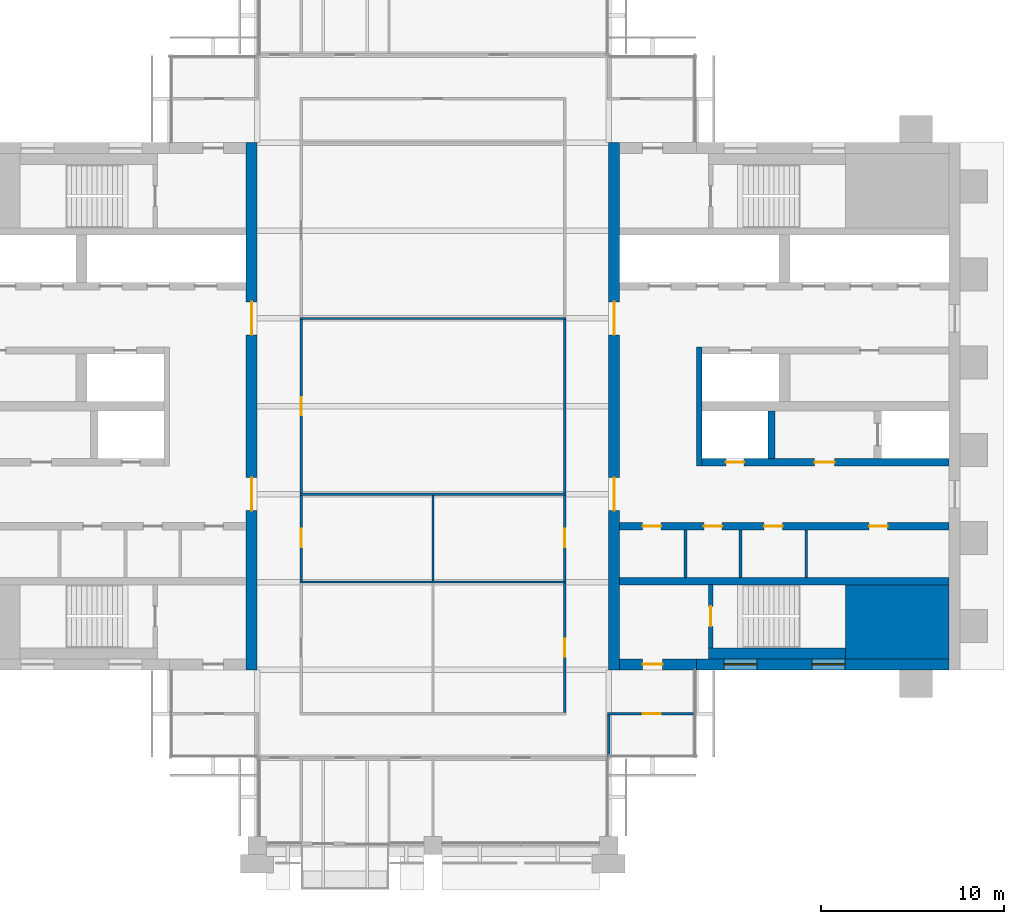
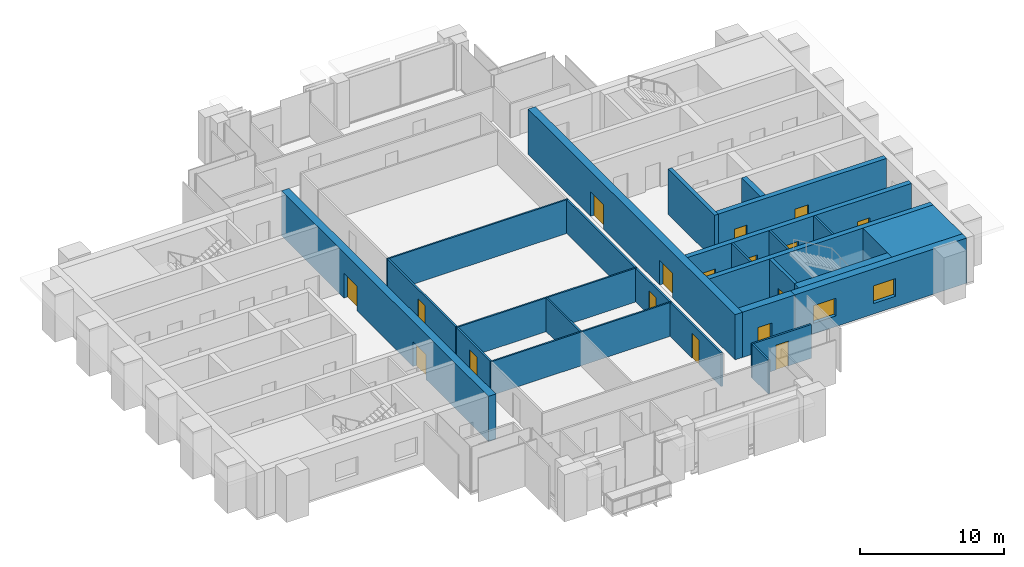
# One storey, part 9 of 13: 26 walls, 17 doors, 2 windows, 19 openings.
"""IFC4 building model written with IfcOpenShell, lengths in metres."""

from ifc_helpers import new_model, si_unit, direction, frame, frame_2d, origin, place, context, subcontext, project, spatial, rectangle, extrude, material, layer, layer_set, type_object, element, fill, save


model = new_model("IFC4")

# Units and contexts
model_context = context("Model", 3, precision=1e-05, world=origin(), true_north=direction((0.0, 1.0)))
body_context = subcontext(model_context, "Body", "Model", "MODEL_VIEW")
ifc_project = project(units=[si_unit("LENGTHUNIT", "METRE"), si_unit("AREAUNIT", "SQUARE_METRE"), si_unit("VOLUMEUNIT", "CUBIC_METRE"), si_unit("PLANEANGLEUNIT", "RADIAN"), si_unit("MASSUNIT", "GRAM", prefix="KILO")], contexts=[model_context])

# Site, building, storey
site_placement = place(None, origin())
site = spatial("IfcSite", under=ifc_project, at=site_placement, CompositionType="ELEMENT")
building_placement = place(site_placement, origin())
building = spatial("IfcBuilding", under=site, at=building_placement, Name="Baori Bourse Tower", CompositionType="ELEMENT")
storey_placement = place(building_placement, frame((0.0, 0.0, 338.300048828125)))
storey = spatial("IfcBuildingStorey", under=building, at=storey_placement, Name="L75", CompositionType="ELEMENT", Elevation=338.300048828125)

# Walls
ifc_material_1 = material(Name="Concrete f'c 40 MPa", Category="concrete")
wall_type_1 = type_object("IfcWallType", Name="Core corner block f'c 40", PredefinedType="SHEAR", material=ifc_material_1)
wall_1_placement = place(storey_placement, frame((51.35009765625, 12.22509765625, 0.0), z_axis=(0.0, 0.0, 1.0), x_axis=(1.0, 0.0, 0.0)))
element("IfcWall", 1, at=wall_1_placement, inside=storey, type_object=wall_type_1, Name="Core wall E05", PredefinedType="SHEAR", context=body_context, shape_type="SweptSolid", body=[
    extrude(rectangle(XDim=5.64990234375, YDim=4.050048828125, at=frame_2d((2.824951171875, 0.0))), origin(), (0.0, 0.0, 1.0), 3.83984375),
])
ifc_material_2 = material(Name="Blockwork partition", Category="masonry")
ifc_layer_1 = layer(ifc_material_2, 0.14990234375)
ifc_layer_set_1 = layer_set([ifc_layer_1], Name="Core partition 150")
wall_type_2 = type_object("IfcWallType", Name="Core partition 150", PredefinedType="PARTITIONING", material=ifc_layer_set_1)
for number, where, z_axis, x_axis, name in (
    (2, (49.199951171875, 14.64990234375, 0.0), (0.0, 0.0, 1.0), (0.0, 1.0, 0.0), "Partition wall E09"),
    (3, (45.60009765625, 14.64990234375, 0.0), (0.0, 0.0, 1.0), (0.0, 1.0, 0.0), "Partition wall E10"),
    (4, (42.60009765625, 14.64990234375, 0.0), (0.0, 0.0, 1.0), (0.0, 1.0, 0.0), "Partition wall E11"),
):
    element("IfcWall", number, at=place(storey_placement, frame(where, z_axis=z_axis, x_axis=x_axis)), inside=storey, type_object=wall_type_2, Name=name, PredefinedType="PARTITIONING", context=body_context, shape_type="SweptSolid", body=[
        extrude(rectangle(XDim=2.60009765625, YDim=0.14990234375, at=frame_2d((1.300048828125, 0.0))), origin(), (0.0, 0.0, 1.0), 3.83984375),
    ])

# Wall, openings, doors
ifc_material_3 = material(Name="Concrete f'c 40 MPa", Category="concrete")
ifc_layer_2 = layer(ifc_material_3, 0.60009765625)
ifc_layer_set_2 = layer_set([ifc_layer_2], Name="Core wall 600 f'c 40")
wall_type_3 = type_object("IfcWallType", Name="Core wall 600 f'c 40", PredefinedType="SHEAR", material=ifc_layer_set_2)
wall_2_placement = place(storey_placement, frame((18.89990234375, 38.39990234375, 0.0), z_axis=(0.0, 0.0, 1.0), x_axis=(0.0, -1.0, 0.0)))
wall_2 = element("IfcWall", 5, at=wall_2_placement, inside=storey, type_object=wall_type_3, Name="Core wall W04", PredefinedType="SHEAR", context=body_context, shape_type="SweptSolid", body=[
    extrude(rectangle(XDim=28.7998046875, YDim=0.60009765625, at=frame_2d((14.39990234375, 0.0))), origin(), (0.0, 0.0, 1.0), 3.83984375),
])
opening_1_placement = place(wall_2_placement, frame((18.300048828125, 0.0, 0.0)))
opening_1 = element("IfcOpeningElement", 6, at=opening_1_placement, cuts=wall_2, Name="Opening L75-D107", PredefinedType="OPENING", context=body_context, shape_type="SweptSolid", body=[
    extrude(rectangle(XDim=1.800048828125, YDim=2.10009765625, at=frame_2d((0.89990234375, 1.050048828125))), frame((0.0, 0.31005859375, 0.0), z_axis=(0.0, -1.0, 0.0), x_axis=(1.0, 0.0, 0.0)), (0.0, 0.0, 1.0), 0.6201171875),
])
opening_2_placement = place(wall_2_placement, frame((8.699951171875, 0.0, 0.0)))
opening_2 = element("IfcOpeningElement", 7, at=opening_2_placement, cuts=wall_2, Name="Opening L75-D108", PredefinedType="OPENING", context=body_context, shape_type="SweptSolid", body=[
    extrude(rectangle(XDim=1.800048828125, YDim=2.10009765625, at=frame_2d((0.89990234375, 1.050048828125))), frame((0.0, 0.31005859375, 0.0), z_axis=(0.0, -1.0, 0.0), x_axis=(1.0, 0.0, 0.0)), (0.0, 0.0, 1.0), 0.6201171875),
])
ifc_material_4 = material(Name="Painted steel door", Category="steel")
door_type_1 = type_object("IfcDoorType", Name="Core lobby door 1800", OperationType="DOUBLE_DOOR_SINGLE_SWING", PredefinedType="DOOR", material=ifc_material_4)
door_1_placement = place(opening_1_placement, origin())
door_1 = element("IfcDoor", 8, at=door_1_placement, inside=storey, type_object=door_type_1, Name="Lobby door W L75", OperationType="DOUBLE_DOOR_SINGLE_SWING", OverallHeight=2.10009765625, OverallWidth=1.800048828125, PredefinedType="DOOR", context=body_context, shape_type="SweptSolid", body=[
    extrude(rectangle(XDim=1.800048828125, YDim=2.10009765625, at=frame_2d((0.89990234375, 1.050048828125))), frame((0.0, 0.02490234375, 0.0), z_axis=(0.0, -1.0, 0.0), x_axis=(1.0, 0.0, 0.0)), (0.0, 0.0, 1.0), 0.050048828125),
])
fill(opening_1, door_1)
door_2_placement = place(opening_2_placement, origin())
door_2 = element("IfcDoor", 9, at=door_2_placement, inside=storey, type_object=door_type_1, Name="Lobby door W L75", OperationType="DOUBLE_DOOR_SINGLE_SWING", OverallHeight=2.10009765625, OverallWidth=1.800048828125, PredefinedType="DOOR", context=body_context, shape_type="SweptSolid", body=[
    extrude(rectangle(XDim=1.800048828125, YDim=2.10009765625, at=frame_2d((0.89990234375, 1.050048828125))), frame((0.0, 0.02490234375, 0.0), z_axis=(0.0, -1.0, 0.0), x_axis=(1.0, 0.0, 0.0)), (0.0, 0.0, 1.0), 0.050048828125),
])
fill(opening_2, door_2)

# Wall, openings, windows
wall_3_placement = place(storey_placement, frame((57.0, 9.89990234375, 0.0), z_axis=(0.0, 0.0, 1.0), x_axis=(-1.0, 0.0, 0.0)))
wall_3 = element("IfcWall", 10, at=wall_3_placement, inside=storey, type_object=wall_type_3, Name="Core wall E02", PredefinedType="SHEAR", context=body_context, shape_type="SweptSolid", body=[
    extrude(rectangle(XDim=13.800048828125, YDim=0.60009765625, at=frame_2d((6.89990234375, 0.0))), origin(), (0.0, 0.0, 1.0), 3.83984375),
])
opening_3_placement = place(wall_3_placement, frame((5.699951171875, 0.0, 0.89990234375)))
opening_3 = element("IfcOpeningElement", 11, at=opening_3_placement, cuts=wall_3, Name="Opening L75-KW203", PredefinedType="OPENING", context=body_context, shape_type="SweptSolid", body=[
    extrude(rectangle(XDim=1.800048828125, YDim=1.5, at=frame_2d((0.89990234375, 0.75))), frame((0.0, 0.31005859375, 0.0), z_axis=(0.0, -1.0, 0.0), x_axis=(1.0, 0.0, 0.0)), (0.0, 0.0, 1.0), 0.6201171875),
])
opening_4_placement = place(wall_3_placement, frame((10.5, 0.0, 0.89990234375)))
opening_4 = element("IfcOpeningElement", 12, at=opening_4_placement, cuts=wall_3, Name="Opening L75-KW204", PredefinedType="OPENING", context=body_context, shape_type="SweptSolid", body=[
    extrude(rectangle(XDim=1.800048828125, YDim=1.5, at=frame_2d((0.89990234375, 0.75))), frame((0.0, 0.31005859375, 0.0), z_axis=(0.0, -1.0, 0.0), x_axis=(1.0, 0.0, 0.0)), (0.0, 0.0, 1.0), 0.6201171875),
])
ifc_material_5 = material(Name="Pale anodised aluminium", Category="aluminium")
window_type = type_object("IfcWindowType", Name="Stair window 1800 x 1500", PartitioningType="SINGLE_PANEL", PredefinedType="WINDOW", material=ifc_material_5)
window_1_placement = place(opening_3_placement, origin())
window_1 = element("IfcWindow", 13, at=window_1_placement, inside=storey, type_object=window_type, Name="Stair window E L75 3", OverallHeight=1.5, OverallWidth=1.800048828125, PartitioningType="SINGLE_PANEL", PredefinedType="WINDOW", context=body_context, shape_type="SweptSolid", body=[
    extrude(rectangle(XDim=1.800048828125, YDim=1.5, at=frame_2d((0.89990234375, 0.75))), frame((0.0, 0.030029296875, 0.0), z_axis=(0.0, -1.0, 0.0), x_axis=(1.0, 0.0, 0.0)), (0.0, 0.0, 1.0), 0.06005859375),
])
fill(opening_3, window_1)
window_2_placement = place(opening_4_placement, origin())
window_2 = element("IfcWindow", 14, at=window_2_placement, inside=storey, type_object=window_type, Name="Stair window E L75 4", OverallHeight=1.5, OverallWidth=1.800048828125, PartitioningType="SINGLE_PANEL", PredefinedType="WINDOW", context=body_context, shape_type="SweptSolid", body=[
    extrude(rectangle(XDim=1.800048828125, YDim=1.5, at=frame_2d((0.89990234375, 0.75))), frame((0.0, 0.030029296875, 0.0), z_axis=(0.0, -1.0, 0.0), x_axis=(1.0, 0.0, 0.0)), (0.0, 0.0, 1.0), 0.06005859375),
])
fill(opening_4, window_2)

# Wall, opening, door
wall_4_placement = place(storey_placement, frame((43.199951171875, 9.89990234375, 0.0), z_axis=(0.0, 0.0, 1.0), x_axis=(-1.0, 0.0, 0.0)))
wall_4 = element("IfcWall", 15, at=wall_4_placement, inside=storey, type_object=wall_type_3, Name="Core wall E03", PredefinedType="SHEAR", context=body_context, shape_type="SweptSolid", body=[
    extrude(rectangle(XDim=4.199951171875, YDim=0.60009765625, at=frame_2d((2.10009765625, 0.0))), origin(), (0.0, 0.0, 1.0), 3.83984375),
])
opening_5_placement = place(wall_4_placement, frame((1.85009765625, 0.0, 0.0)))
opening_5 = element("IfcOpeningElement", 16, at=opening_5_placement, cuts=wall_4, Name="Opening L75-D202", PredefinedType="OPENING", context=body_context, shape_type="SweptSolid", body=[
    extrude(rectangle(XDim=1.10009765625, YDim=2.10009765625, at=frame_2d((0.550048828125, 1.050048828125))), frame((0.0, 0.31005859375, 0.0), z_axis=(0.0, -1.0, 0.0), x_axis=(1.0, 0.0, 0.0)), (0.0, 0.0, 1.0), 0.6201171875),
])
ifc_material_6 = material(Name="Painted steel door", Category="steel")
door_type_2 = type_object("IfcDoorType", Name="Stair door 1100", OperationType="SINGLE_SWING_LEFT", PredefinedType="DOOR", material=ifc_material_6)
door_3_placement = place(opening_5_placement, origin())
door_3 = element("IfcDoor", 17, at=door_3_placement, inside=storey, type_object=door_type_2, Name="Stair vestibule door A E L75", OperationType="SINGLE_SWING_LEFT", OverallHeight=2.10009765625, OverallWidth=1.10009765625, PredefinedType="DOOR", context=body_context, shape_type="SweptSolid", body=[
    extrude(rectangle(XDim=1.10009765625, YDim=2.10009765625, at=frame_2d((0.550048828125, 1.050048828125))), frame((0.0, 0.02490234375, 0.0), z_axis=(0.0, -1.0, 0.0), x_axis=(1.0, 0.0, 0.0)), (0.0, 0.0, 1.0), 0.050048828125),
])
fill(opening_5, door_3)

# Wall, openings, doors
wall_5_placement = place(storey_placement, frame((38.699951171875, 9.60009765625, 0.0), z_axis=(0.0, 0.0, 1.0), x_axis=(0.0, 1.0, 0.0)))
wall_5 = element("IfcWall", 18, at=wall_5_placement, inside=storey, type_object=wall_type_3, Name="Core wall E04", PredefinedType="SHEAR", context=body_context, shape_type="SweptSolid", body=[
    extrude(rectangle(XDim=28.7998046875, YDim=0.60009765625, at=frame_2d((14.39990234375, 0.0))), origin(), (0.0, 0.0, 1.0), 3.83984375),
])
opening_6_placement = place(wall_5_placement, frame((8.699951171875, 0.0, 0.0)))
opening_6 = element("IfcOpeningElement", 19, at=opening_6_placement, cuts=wall_5, Name="Opening L75-D207", PredefinedType="OPENING", context=body_context, shape_type="SweptSolid", body=[
    extrude(rectangle(XDim=1.800048828125, YDim=2.10009765625, at=frame_2d((0.89990234375, 1.050048828125))), frame((0.0, 0.31005859375, 0.0), z_axis=(0.0, -1.0, 0.0), x_axis=(1.0, 0.0, 0.0)), (0.0, 0.0, 1.0), 0.6201171875),
])
opening_7_placement = place(wall_5_placement, frame((18.300048828125, 0.0, 0.0)))
opening_7 = element("IfcOpeningElement", 20, at=opening_7_placement, cuts=wall_5, Name="Opening L75-D208", PredefinedType="OPENING", context=body_context, shape_type="SweptSolid", body=[
    extrude(rectangle(XDim=1.800048828125, YDim=2.10009765625, at=frame_2d((0.89990234375, 1.050048828125))), frame((0.0, 0.31005859375, 0.0), z_axis=(0.0, -1.0, 0.0), x_axis=(1.0, 0.0, 0.0)), (0.0, 0.0, 1.0), 0.6201171875),
])
door_4_placement = place(opening_6_placement, origin())
door_4 = element("IfcDoor", 21, at=door_4_placement, inside=storey, type_object=door_type_1, Name="Lobby door E L75", OperationType="DOUBLE_DOOR_SINGLE_SWING", OverallHeight=2.10009765625, OverallWidth=1.800048828125, PredefinedType="DOOR", context=body_context, shape_type="SweptSolid", body=[
    extrude(rectangle(XDim=1.800048828125, YDim=2.10009765625, at=frame_2d((0.89990234375, 1.050048828125))), frame((0.0, 0.02490234375, 0.0), z_axis=(0.0, -1.0, 0.0), x_axis=(1.0, 0.0, 0.0)), (0.0, 0.0, 1.0), 0.050048828125),
])
fill(opening_6, door_4)
door_5_placement = place(opening_7_placement, origin())
door_5 = element("IfcDoor", 22, at=door_5_placement, inside=storey, type_object=door_type_1, Name="Lobby door E L75", OperationType="DOUBLE_DOOR_SINGLE_SWING", OverallHeight=2.10009765625, OverallWidth=1.800048828125, PredefinedType="DOOR", context=body_context, shape_type="SweptSolid", body=[
    extrude(rectangle(XDim=1.800048828125, YDim=2.10009765625, at=frame_2d((0.89990234375, 1.050048828125))), frame((0.0, 0.02490234375, 0.0), z_axis=(0.0, -1.0, 0.0), x_axis=(1.0, 0.0, 0.0)), (0.0, 0.0, 1.0), 0.050048828125),
])
fill(opening_7, door_5)

# Wall, opening, door
ifc_material_7 = material(Name="Gypsum board partition")
ifc_layer_3 = layer(ifc_material_7, 0.14990234375)
ifc_layer_set_3 = layer_set([ifc_layer_3], Name="Corridor partition 150")
wall_type_4 = type_object("IfcWallType", Name="Corridor partition 150", PredefinedType="PARTITIONING", material=ifc_layer_set_3)
wall_6_placement = place(storey_placement, frame((38.324951171875, 7.199951171875, 0.0), z_axis=(0.0, 0.0, 1.0), x_axis=(1.0, 0.0, 0.0)))
wall_6 = element("IfcWall", 23, at=wall_6_placement, inside=storey, type_object=wall_type_4, Name="Partition", PredefinedType="PARTITIONING", context=body_context, shape_type="SweptSolid", body=[
    extrude(rectangle(XDim=4.775146484375, YDim=0.14990234375, at=frame_2d((2.3876953125, 0.0))), origin(), (0.0, 0.0, 1.0), 2.86962890625),
])
opening_8_placement = place(wall_6_placement, frame((1.925048828125, 0.0, 0.0)))
opening_8 = element("IfcOpeningElement", 24, at=opening_8_placement, cuts=wall_6, Name="Opening L75-D06", PredefinedType="OPENING", context=body_context, shape_type="SweptSolid", body=[
    extrude(rectangle(XDim=1.0, YDim=2.10009765625, at=frame_2d((0.5, 1.050048828125))), frame((0.0, 0.0849609375, 0.0), z_axis=(0.0, -1.0, 0.0), x_axis=(1.0, 0.0, 0.0)), (0.0, 0.0, 1.0), 0.169921875),
])
ifc_material_8 = material(Name="Timber door leaf", Category="wood")
door_type_3 = type_object("IfcDoorType", Name="Door 1000 x 2100", OperationType="SINGLE_SWING_LEFT", PredefinedType="DOOR", material=ifc_material_8)
door_6_placement = place(opening_8_placement, origin())
door_6 = element("IfcDoor", 25, at=door_6_placement, inside=storey, type_object=door_type_3, Name="Door", OperationType="SINGLE_SWING_RIGHT", OverallHeight=2.10009765625, OverallWidth=1.0, PredefinedType="DOOR", context=body_context, shape_type="SweptSolid", body=[
    extrude(rectangle(XDim=1.0, YDim=2.10009765625, at=frame_2d((0.5, 1.050048828125))), frame((0.0, 0.02490234375, 0.0), z_axis=(0.0, -1.0, 0.0), x_axis=(1.0, 0.0, 0.0)), (0.0, 0.0, 1.0), 0.050048828125),
])
fill(opening_8, door_6)

wall_7_placement = place(storey_placement, frame((21.60009765625, 14.46240234375, 0.0), z_axis=(0.0, 0.0, 1.0), x_axis=(0.0, 1.0, 0.0)))
wall_7 = element("IfcWall", 26, at=wall_7_placement, inside=storey, type_object=wall_type_4, Name="Partition", PredefinedType="PARTITIONING", context=body_context, shape_type="SweptSolid", body=[
    extrude(rectangle(XDim=4.675048828125, YDim=0.14990234375, at=frame_2d((2.33740234375, 0.0))), origin(), (0.0, 0.0, 1.0), 2.86962890625),
])
opening_9_placement = place(wall_7_placement, frame((1.83740234375, 0.0, 0.0)))
opening_9 = element("IfcOpeningElement", 27, at=opening_9_placement, cuts=wall_7, Name="Opening L75-D14", PredefinedType="OPENING", context=body_context, shape_type="SweptSolid", body=[
    extrude(rectangle(XDim=1.0, YDim=2.10009765625, at=frame_2d((0.5, 1.050048828125))), frame((0.0, 0.0849609375, 0.0), z_axis=(0.0, -1.0, 0.0), x_axis=(1.0, 0.0, 0.0)), (0.0, 0.0, 1.0), 0.169921875),
])
door_7_placement = place(opening_9_placement, origin())
door_7 = element("IfcDoor", 28, at=door_7_placement, inside=storey, type_object=door_type_3, Name="Door", OperationType="SINGLE_SWING_RIGHT", OverallHeight=2.10009765625, OverallWidth=1.0, PredefinedType="DOOR", context=body_context, shape_type="SweptSolid", body=[
    extrude(rectangle(XDim=1.0, YDim=2.10009765625, at=frame_2d((0.5, 1.050048828125))), frame((0.0, 0.02490234375, 0.0), z_axis=(0.0, -1.0, 0.0), x_axis=(1.0, 0.0, 0.0)), (0.0, 0.0, 1.0), 0.050048828125),
])
fill(opening_9, door_7)

wall_8_placement = place(storey_placement, frame((21.60009765625, 19.262451171875, 0.0), z_axis=(0.0, 0.0, 1.0), x_axis=(0.0, 1.0, 0.0)))
wall_8 = element("IfcWall", 29, at=wall_8_placement, inside=storey, type_object=wall_type_4, Name="Partition", PredefinedType="PARTITIONING", context=body_context, shape_type="SweptSolid", body=[
    extrude(rectangle(XDim=9.47509765625, YDim=0.14990234375, at=frame_2d((4.737548828125, 0.0))), origin(), (0.0, 0.0, 1.0), 2.86962890625),
])
opening_10_placement = place(wall_8_placement, frame((4.237548828125, 0.0, 0.0)))
opening_10 = element("IfcOpeningElement", 30, at=opening_10_placement, cuts=wall_8, Name="Opening L75-D15", PredefinedType="OPENING", context=body_context, shape_type="SweptSolid", body=[
    extrude(rectangle(XDim=1.0, YDim=2.10009765625, at=frame_2d((0.5, 1.050048828125))), frame((0.0, 0.0849609375, 0.0), z_axis=(0.0, -1.0, 0.0), x_axis=(1.0, 0.0, 0.0)), (0.0, 0.0, 1.0), 0.169921875),
])
door_8_placement = place(opening_10_placement, origin())
door_8 = element("IfcDoor", 31, at=door_8_placement, inside=storey, type_object=door_type_3, Name="Door", OperationType="SINGLE_SWING_LEFT", OverallHeight=2.10009765625, OverallWidth=1.0, PredefinedType="DOOR", context=body_context, shape_type="SweptSolid", body=[
    extrude(rectangle(XDim=1.0, YDim=2.10009765625, at=frame_2d((0.5, 1.050048828125))), frame((0.0, 0.02490234375, 0.0), z_axis=(0.0, -1.0, 0.0), x_axis=(1.0, 0.0, 0.0)), (0.0, 0.0, 1.0), 0.050048828125),
])
fill(opening_10, door_8)

wall_9_placement = place(storey_placement, frame((36.0, 7.27490234375, 0.0), z_axis=(0.0, 0.0, 1.0), x_axis=(0.0, 1.0, 0.0)))
wall_9 = element("IfcWall", 32, at=wall_9_placement, inside=storey, type_object=wall_type_4, Name="Partition", PredefinedType="PARTITIONING", context=body_context, shape_type="SweptSolid", body=[
    extrude(rectangle(XDim=7.0625, YDim=0.14990234375, at=frame_2d((3.53125, 0.0))), origin(), (0.0, 0.0, 1.0), 2.86962890625),
])
opening_11_placement = place(wall_9_placement, frame((3.03125, 0.0, 0.0)))
opening_11 = element("IfcOpeningElement", 33, at=opening_11_placement, cuts=wall_9, Name="Opening L75-D17", PredefinedType="OPENING", context=body_context, shape_type="SweptSolid", body=[
    extrude(rectangle(XDim=1.0, YDim=2.10009765625, at=frame_2d((0.5, 1.050048828125))), frame((0.0, 0.0849609375, 0.0), z_axis=(0.0, -1.0, 0.0), x_axis=(1.0, 0.0, 0.0)), (0.0, 0.0, 1.0), 0.169921875),
])
door_9_placement = place(opening_11_placement, origin())
door_9 = element("IfcDoor", 34, at=door_9_placement, inside=storey, type_object=door_type_3, Name="Door", OperationType="SINGLE_SWING_RIGHT", OverallHeight=2.10009765625, OverallWidth=1.0, PredefinedType="DOOR", context=body_context, shape_type="SweptSolid", body=[
    extrude(rectangle(XDim=1.0, YDim=2.10009765625, at=frame_2d((0.5, 1.050048828125))), frame((0.0, 0.02490234375, 0.0), z_axis=(0.0, -1.0, 0.0), x_axis=(1.0, 0.0, 0.0)), (0.0, 0.0, 1.0), 0.050048828125),
])
fill(opening_11, door_9)

wall_10_placement = place(storey_placement, frame((36.0, 14.46240234375, 0.0), z_axis=(0.0, 0.0, 1.0), x_axis=(0.0, 1.0, 0.0)))
wall_10 = element("IfcWall", 35, at=wall_10_placement, inside=storey, type_object=wall_type_4, Name="Partition", PredefinedType="PARTITIONING", context=body_context, shape_type="SweptSolid", body=[
    extrude(rectangle(XDim=4.675048828125, YDim=0.14990234375, at=frame_2d((2.33740234375, 0.0))), origin(), (0.0, 0.0, 1.0), 2.86962890625),
])
opening_12_placement = place(wall_10_placement, frame((1.83740234375, 0.0, 0.0)))
opening_12 = element("IfcOpeningElement", 36, at=opening_12_placement, cuts=wall_10, Name="Opening L75-D18", PredefinedType="OPENING", context=body_context, shape_type="SweptSolid", body=[
    extrude(rectangle(XDim=1.0, YDim=2.10009765625, at=frame_2d((0.5, 1.050048828125))), frame((0.0, 0.0849609375, 0.0), z_axis=(0.0, -1.0, 0.0), x_axis=(1.0, 0.0, 0.0)), (0.0, 0.0, 1.0), 0.169921875),
])
door_10_placement = place(opening_12_placement, origin())
door_10 = element("IfcDoor", 37, at=door_10_placement, inside=storey, type_object=door_type_3, Name="Door", OperationType="SINGLE_SWING_LEFT", OverallHeight=2.10009765625, OverallWidth=1.0, PredefinedType="DOOR", context=body_context, shape_type="SweptSolid", body=[
    extrude(rectangle(XDim=1.0, YDim=2.10009765625, at=frame_2d((0.5, 1.050048828125))), frame((0.0, 0.02490234375, 0.0), z_axis=(0.0, -1.0, 0.0), x_axis=(1.0, 0.0, 0.0)), (0.0, 0.0, 1.0), 0.050048828125),
])
fill(opening_12, door_10)

# Walls
wall_11_placement = place(storey_placement, frame((36.0, 19.262451171875, 0.0), z_axis=(0.0, 0.0, 1.0), x_axis=(0.0, 1.0, 0.0)))
element("IfcWall", 38, at=wall_11_placement, inside=storey, type_object=wall_type_4, Name="Partition", PredefinedType="PARTITIONING", context=body_context, shape_type="SweptSolid", body=[
    extrude(rectangle(XDim=9.47509765625, YDim=0.14990234375, at=frame_2d((4.737548828125, 0.0))), origin(), (0.0, 0.0, 1.0), 2.86962890625),
])
wall_12_placement = place(storey_placement, frame((38.39990234375, 4.875, 0.0), z_axis=(0.0, 0.0, 1.0), x_axis=(0.0, 1.0, 0.0)))
element("IfcWall", 39, at=wall_12_placement, inside=storey, type_object=wall_type_4, Name="Partition", PredefinedType="PARTITIONING", context=body_context, shape_type="SweptSolid", body=[
    extrude(rectangle(XDim=2.25, YDim=0.14990234375, at=frame_2d((1.125, 0.0))), origin(), (0.0, 0.0, 1.0), 2.86962890625),
])
ifc_material_9 = material(Name="Gypsum board partition")
ifc_layer_4 = layer(ifc_material_9, 0.125)
ifc_layer_set_4 = layer_set([ifc_layer_4], Name="Partition 125")
wall_type_5 = type_object("IfcWallType", Name="Partition 125", PredefinedType="PARTITIONING", material=ifc_layer_set_4)
for number, where, z_axis, x_axis, name in (
    (40, (21.52490234375, 14.39990234375, 0.0), (0.0, 0.0, 1.0), (1.0, 0.0, 0.0), "Partition"),
    (41, (21.52490234375, 19.199951171875, 0.0), (0.0, 0.0, 1.0), (1.0, 0.0, 0.0), "Partition"),
    (42, (21.52490234375, 28.800048828125, 0.0), (0.0, 0.0, 1.0), (1.0, 0.0, 0.0), "Partition"),
):
    element("IfcWall", number, at=place(storey_placement, frame(where, z_axis=z_axis, x_axis=x_axis)), inside=storey, type_object=wall_type_5, Name=name, PredefinedType="PARTITIONING", context=body_context, shape_type="SweptSolid", body=[
        extrude(rectangle(XDim=14.550048828125, YDim=0.125, at=frame_2d((7.27490234375, 0.0))), origin(), (0.0, 0.0, 1.0), 2.86962890625),
    ])
wall_13_placement = place(storey_placement, frame((28.800048828125, 14.46240234375, 0.0), z_axis=(0.0, 0.0, 1.0), x_axis=(0.0, 1.0, 0.0)))
element("IfcWall", 43, at=wall_13_placement, inside=storey, type_object=wall_type_5, Name="Partition", PredefinedType="PARTITIONING", context=body_context, shape_type="SweptSolid", body=[
    extrude(rectangle(XDim=4.675048828125, YDim=0.125, at=frame_2d((2.33740234375, 0.0))), origin(), (0.0, 0.0, 1.0), 2.86962890625),
])

# Wall, opening, door
ifc_material_10 = material(Name="Concrete f'c 40 MPa", Category="concrete")
ifc_layer_5 = layer(ifc_material_10, 0.25)
ifc_layer_set_5 = layer_set([ifc_layer_5], Name="Shaft wall 250 f'c 40")
wall_type_6 = type_object("IfcWallType", Name="Shaft wall 250 f'c 40", PredefinedType="SHEAR", material=ifc_layer_set_5)
wall_14_placement = place(storey_placement, frame((43.97509765625, 10.800048828125, 0.0), z_axis=(0.0, 0.0, 1.0), x_axis=(0.0, 1.0, 0.0)))
wall_14 = element("IfcWall", 44, at=wall_14_placement, inside=storey, type_object=wall_type_6, Name="Core wall E07", PredefinedType="SHEAR", context=body_context, shape_type="SweptSolid", body=[
    extrude(rectangle(XDim=3.449951171875, YDim=0.25, at=frame_2d((1.72509765625, 0.0))), origin(), (0.0, 0.0, 1.0), 3.83984375),
])
opening_13_placement = place(wall_14_placement, frame((1.175048828125, 0.0, 0.0)))
opening_13 = element("IfcOpeningElement", 45, at=opening_13_placement, cuts=wall_14, Name="Opening L75-D201", PredefinedType="OPENING", context=body_context, shape_type="SweptSolid", body=[
    extrude(rectangle(XDim=1.10009765625, YDim=2.10009765625, at=frame_2d((0.550048828125, 1.050048828125))), frame((0.0, 0.135009765625, 0.0), z_axis=(0.0, -1.0, 0.0), x_axis=(1.0, 0.0, 0.0)), (0.0, 0.0, 1.0), 0.27001953125),
])
door_11_placement = place(opening_13_placement, origin())
door_11 = element("IfcDoor", 46, at=door_11_placement, inside=storey, type_object=door_type_2, Name="Stair door A E L75", OperationType="SINGLE_SWING_LEFT", OverallHeight=2.10009765625, OverallWidth=1.10009765625, PredefinedType="DOOR", context=body_context, shape_type="SweptSolid", body=[
    extrude(rectangle(XDim=1.10009765625, YDim=2.10009765625, at=frame_2d((0.550048828125, 1.050048828125))), frame((0.0, 0.02490234375, 0.0), z_axis=(0.0, -1.0, 0.0), x_axis=(1.0, 0.0, 0.0)), (0.0, 0.0, 1.0), 0.050048828125),
])
fill(opening_13, door_11)

# Walls
ifc_material_11 = material(Name="Concrete f'c 40 MPa", Category="concrete")
ifc_layer_6 = layer(ifc_material_11, 0.300048828125)
ifc_layer_set_6 = layer_set([ifc_layer_6], Name="Shaft wall 300 f'c 40")
wall_type_7 = type_object("IfcWallType", Name="Shaft wall 300 f'c 40", PredefinedType="SHEAR", material=ifc_layer_set_6)
wall_15_placement = place(storey_placement, frame((43.35009765625, 20.75, 0.0), z_axis=(0.0, 0.0, 1.0), x_axis=(0.0, 1.0, 0.0)))
element("IfcWall", 47, at=wall_15_placement, inside=storey, type_object=wall_type_7, Name="Core wall E14", PredefinedType="SHEAR", context=body_context, shape_type="SweptSolid", body=[
    extrude(rectangle(XDim=6.5, YDim=0.300048828125, at=frame_2d((3.25, 0.0))), origin(), (0.0, 0.0, 1.0), 3.83984375),
])
ifc_material_12 = material(Name="Concrete f'c 40 MPa", Category="concrete")
ifc_layer_7 = layer(ifc_material_12, 0.39990234375)
ifc_layer_set_7 = layer_set([ifc_layer_7], Name="Shaft wall 400 f'c 40")
wall_type_8 = type_object("IfcWallType", Name="Shaft wall 400 f'c 40", PredefinedType="SHEAR", material=ifc_layer_set_7)
wall_16_placement = place(storey_placement, frame((39.0, 14.449951171875, 0.0), z_axis=(0.0, 0.0, 1.0), x_axis=(1.0, 0.0, 0.0)))
element("IfcWall", 48, at=wall_16_placement, inside=storey, type_object=wall_type_8, Name="Core wall E08", PredefinedType="SHEAR", context=body_context, shape_type="SweptSolid", body=[
    extrude(rectangle(XDim=18.0, YDim=0.39990234375, at=frame_2d((9.0, 0.0))), origin(), (0.0, 0.0, 1.0), 3.83984375),
])

# Wall, openings, doors
wall_17_placement = place(storey_placement, frame((39.0, 17.449951171875, 0.0), z_axis=(0.0, 0.0, 1.0), x_axis=(1.0, 0.0, 0.0)))
wall_17 = element("IfcWall", 49, at=wall_17_placement, inside=storey, type_object=wall_type_8, Name="Core wall E12", PredefinedType="SHEAR", context=body_context, shape_type="SweptSolid", body=[
    extrude(rectangle(XDim=18.0, YDim=0.39990234375, at=frame_2d((9.0, 0.0))), origin(), (0.0, 0.0, 1.0), 3.83984375),
])
opening_14_placement = place(wall_17_placement, frame((13.637451171875, 0.0, 0.0)))
opening_14 = element("IfcOpeningElement", 50, at=opening_14_placement, cuts=wall_17, Name="Opening L75-D209", PredefinedType="OPENING", context=body_context, shape_type="SweptSolid", body=[
    extrude(rectangle(XDim=1.0, YDim=2.10009765625, at=frame_2d((0.5, 1.050048828125))), frame((0.0, 0.2099609375, 0.0), z_axis=(0.0, -1.0, 0.0), x_axis=(1.0, 0.0, 0.0)), (0.0, 0.0, 1.0), 0.419921875),
])
opening_15_placement = place(wall_17_placement, frame((7.89990234375, 0.0, 0.0)))
opening_15 = element("IfcOpeningElement", 51, at=opening_15_placement, cuts=wall_17, Name="Opening L75-D210", PredefinedType="OPENING", context=body_context, shape_type="SweptSolid", body=[
    extrude(rectangle(XDim=1.0, YDim=2.10009765625, at=frame_2d((0.5, 1.050048828125))), frame((0.0, 0.2099609375, 0.0), z_axis=(0.0, -1.0, 0.0), x_axis=(1.0, 0.0, 0.0)), (0.0, 0.0, 1.0), 0.419921875),
])
opening_16_placement = place(wall_17_placement, frame((4.60009765625, 0.0, 0.0)))
opening_16 = element("IfcOpeningElement", 52, at=opening_16_placement, cuts=wall_17, Name="Opening L75-D211", PredefinedType="OPENING", context=body_context, shape_type="SweptSolid", body=[
    extrude(rectangle(XDim=1.0, YDim=2.10009765625, at=frame_2d((0.5, 1.050048828125))), frame((0.0, 0.2099609375, 0.0), z_axis=(0.0, -1.0, 0.0), x_axis=(1.0, 0.0, 0.0)), (0.0, 0.0, 1.0), 0.419921875),
])
opening_17_placement = place(wall_17_placement, frame((1.262451171875, 0.0, 0.0)))
opening_17 = element("IfcOpeningElement", 53, at=opening_17_placement, cuts=wall_17, Name="Opening L75-D212", PredefinedType="OPENING", context=body_context, shape_type="SweptSolid", body=[
    extrude(rectangle(XDim=1.0, YDim=2.10009765625, at=frame_2d((0.5, 1.050048828125))), frame((0.0, 0.2099609375, 0.0), z_axis=(0.0, -1.0, 0.0), x_axis=(1.0, 0.0, 0.0)), (0.0, 0.0, 1.0), 0.419921875),
])
ifc_material_13 = material(Name="Painted steel door", Category="steel")
door_type_4 = type_object("IfcDoorType", Name="Core door 1000", OperationType="SINGLE_SWING_LEFT", PredefinedType="DOOR", material=ifc_material_13)
door_12_placement = place(opening_14_placement, origin())
door_12 = element("IfcDoor", 54, at=door_12_placement, inside=storey, type_object=door_type_4, Name="Men'S Wc door E L75", OperationType="SINGLE_SWING_LEFT", OverallHeight=2.10009765625, OverallWidth=1.0, PredefinedType="DOOR", context=body_context, shape_type="SweptSolid", body=[
    extrude(rectangle(XDim=1.0, YDim=2.10009765625, at=frame_2d((0.5, 1.050048828125))), frame((0.0, 0.02490234375, 0.0), z_axis=(0.0, -1.0, 0.0), x_axis=(1.0, 0.0, 0.0)), (0.0, 0.0, 1.0), 0.050048828125),
])
fill(opening_14, door_12)
door_13_placement = place(opening_15_placement, origin())
door_13 = element("IfcDoor", 55, at=door_13_placement, inside=storey, type_object=door_type_4, Name="Women'S Wc door E L75", OperationType="SINGLE_SWING_LEFT", OverallHeight=2.10009765625, OverallWidth=1.0, PredefinedType="DOOR", context=body_context, shape_type="SweptSolid", body=[
    extrude(rectangle(XDim=1.0, YDim=2.10009765625, at=frame_2d((0.5, 1.050048828125))), frame((0.0, 0.02490234375, 0.0), z_axis=(0.0, -1.0, 0.0), x_axis=(1.0, 0.0, 0.0)), (0.0, 0.0, 1.0), 0.050048828125),
])
fill(opening_15, door_13)
door_14_placement = place(opening_16_placement, origin())
door_14 = element("IfcDoor", 56, at=door_14_placement, inside=storey, type_object=door_type_4, Name="Accessible Wc door E L75", OperationType="SINGLE_SWING_LEFT", OverallHeight=2.10009765625, OverallWidth=1.0, PredefinedType="DOOR", context=body_context, shape_type="SweptSolid", body=[
    extrude(rectangle(XDim=1.0, YDim=2.10009765625, at=frame_2d((0.5, 1.050048828125))), frame((0.0, 0.02490234375, 0.0), z_axis=(0.0, -1.0, 0.0), x_axis=(1.0, 0.0, 0.0)), (0.0, 0.0, 1.0), 0.050048828125),
])
fill(opening_16, door_14)
door_15_placement = place(opening_17_placement, origin())
door_15 = element("IfcDoor", 57, at=door_15_placement, inside=storey, type_object=door_type_4, Name="Pantry door E L75", OperationType="SINGLE_SWING_LEFT", OverallHeight=2.10009765625, OverallWidth=1.0, PredefinedType="DOOR", context=body_context, shape_type="SweptSolid", body=[
    extrude(rectangle(XDim=1.0, YDim=2.10009765625, at=frame_2d((0.5, 1.050048828125))), frame((0.0, 0.02490234375, 0.0), z_axis=(0.0, -1.0, 0.0), x_axis=(1.0, 0.0, 0.0)), (0.0, 0.0, 1.0), 0.050048828125),
])
fill(opening_17, door_15)

wall_18_placement = place(storey_placement, frame((43.5, 20.949951171875, 0.0), z_axis=(0.0, 0.0, 1.0), x_axis=(1.0, 0.0, 0.0)))
wall_18 = element("IfcWall", 58, at=wall_18_placement, inside=storey, type_object=wall_type_8, Name="Core wall E13", PredefinedType="SHEAR", context=body_context, shape_type="SweptSolid", body=[
    extrude(rectangle(XDim=13.5, YDim=0.39990234375, at=frame_2d((6.75, 0.0))), origin(), (0.0, 0.0, 1.0), 3.83984375),
])
opening_18_placement = place(wall_18_placement, frame((6.14990234375, 0.0, 0.0)))
opening_18 = element("IfcOpeningElement", 59, at=opening_18_placement, cuts=wall_18, Name="Opening L75-D205", PredefinedType="OPENING", context=body_context, shape_type="SweptSolid", body=[
    extrude(rectangle(XDim=1.10009765625, YDim=2.10009765625, at=frame_2d((0.550048828125, 1.050048828125))), frame((0.0, 0.2099609375, 0.0), z_axis=(0.0, -1.0, 0.0), x_axis=(1.0, 0.0, 0.0)), (0.0, 0.0, 1.0), 0.419921875),
])
opening_19_placement = place(wall_18_placement, frame((1.300048828125, 0.0, 0.0)))
opening_19 = element("IfcOpeningElement", 60, at=opening_19_placement, cuts=wall_18, Name="Opening L75-D206", PredefinedType="OPENING", context=body_context, shape_type="SweptSolid", body=[
    extrude(rectangle(XDim=1.0, YDim=2.10009765625, at=frame_2d((0.5, 1.050048828125))), frame((0.0, 0.2099609375, 0.0), z_axis=(0.0, -1.0, 0.0), x_axis=(1.0, 0.0, 0.0)), (0.0, 0.0, 1.0), 0.419921875),
])
ifc_material_14 = material(Name="Painted steel door", Category="steel")
door_type_5 = type_object("IfcDoorType", Name="Lobby door 1100", OperationType="SINGLE_SWING_LEFT", PredefinedType="DOOR", material=ifc_material_14)
door_16_placement = place(opening_18_placement, origin())
door_16 = element("IfcDoor", 61, at=door_16_placement, inside=storey, type_object=door_type_5, Name="Firefighting lobby door E L75", OperationType="SINGLE_SWING_LEFT", OverallHeight=2.10009765625, OverallWidth=1.10009765625, PredefinedType="DOOR", context=body_context, shape_type="SweptSolid", body=[
    extrude(rectangle(XDim=1.10009765625, YDim=2.10009765625, at=frame_2d((0.550048828125, 1.050048828125))), frame((0.0, 0.02490234375, 0.0), z_axis=(0.0, -1.0, 0.0), x_axis=(1.0, 0.0, 0.0)), (0.0, 0.0, 1.0), 0.050048828125),
])
fill(opening_18, door_16)
ifc_material_15 = material(Name="Painted steel door", Category="steel")
door_type_6 = type_object("IfcDoorType", Name="Shaft door 1000", OperationType="SINGLE_SWING_LEFT", PredefinedType="DOOR", material=ifc_material_15)
door_17_placement = place(opening_19_placement, origin())
door_17 = element("IfcDoor", 62, at=door_17_placement, inside=storey, type_object=door_type_6, Name="Riser room door E L75", OperationType="SINGLE_SWING_LEFT", OverallHeight=2.10009765625, OverallWidth=1.0, PredefinedType="DOOR", context=body_context, shape_type="SweptSolid", body=[
    extrude(rectangle(XDim=1.0, YDim=2.10009765625, at=frame_2d((0.5, 1.050048828125))), frame((0.0, 0.02490234375, 0.0), z_axis=(0.0, -1.0, 0.0), x_axis=(1.0, 0.0, 0.0)), (0.0, 0.0, 1.0), 0.050048828125),
])
fill(opening_19, door_17)

# Walls
wall_19_placement = place(storey_placement, frame((47.300048828125, 21.14990234375, 0.0), z_axis=(0.0, 0.0, 1.0), x_axis=(0.0, 1.0, 0.0)))
element("IfcWall", 63, at=wall_19_placement, inside=storey, type_object=wall_type_8, Name="Core wall E16", PredefinedType="SHEAR", context=body_context, shape_type="SweptSolid", body=[
    extrude(rectangle(XDim=2.60009765625, YDim=0.39990234375, at=frame_2d((1.300048828125, 0.0))), origin(), (0.0, 0.0, 1.0), 3.83984375),
])
ifc_material_16 = material(Name="Concrete f'c 40 MPa", Category="concrete")
ifc_layer_8 = layer(ifc_material_16, 0.60009765625)
ifc_layer_set_8 = layer_set([ifc_layer_8], Name="Shaft wall 600 f'c 40")
wall_type_9 = type_object("IfcWallType", Name="Shaft wall 600 f'c 40", PredefinedType="SHEAR", material=ifc_layer_set_8)
wall_20_placement = place(storey_placement, frame((43.85009765625, 10.5, 0.0), z_axis=(0.0, 0.0, 1.0), x_axis=(1.0, 0.0, 0.0)))
element("IfcWall", 64, at=wall_20_placement, inside=storey, type_object=wall_type_9, Name="Core wall E06", PredefinedType="SHEAR", context=body_context, shape_type="SweptSolid", body=[
    extrude(rectangle(XDim=7.5, YDim=0.60009765625, at=frame_2d((3.75, 0.0))), origin(), (0.0, 0.0, 1.0), 3.83984375),
])

save(model, "model.ifc")
